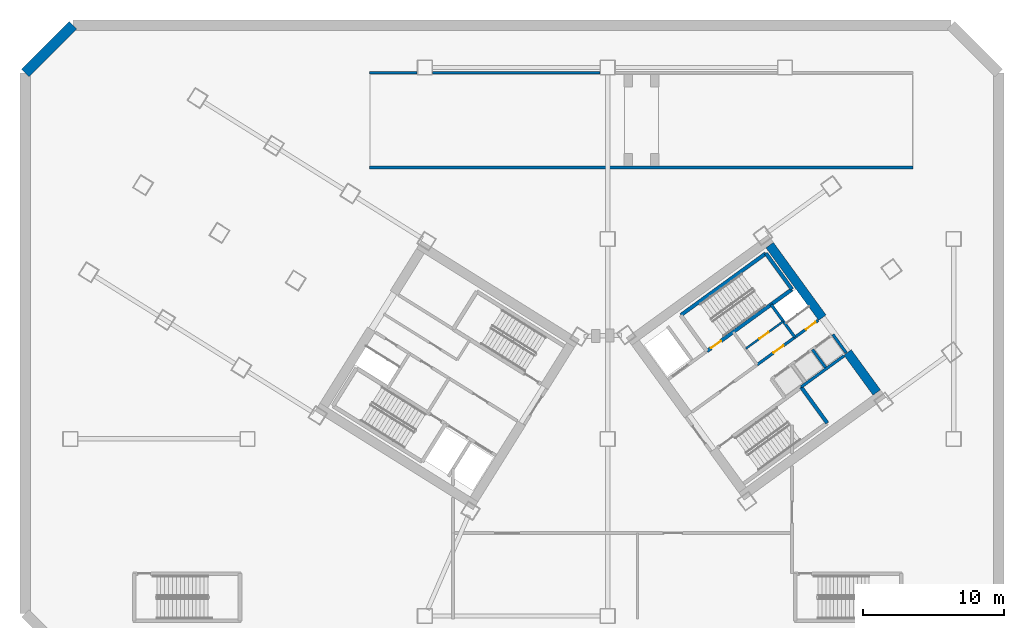
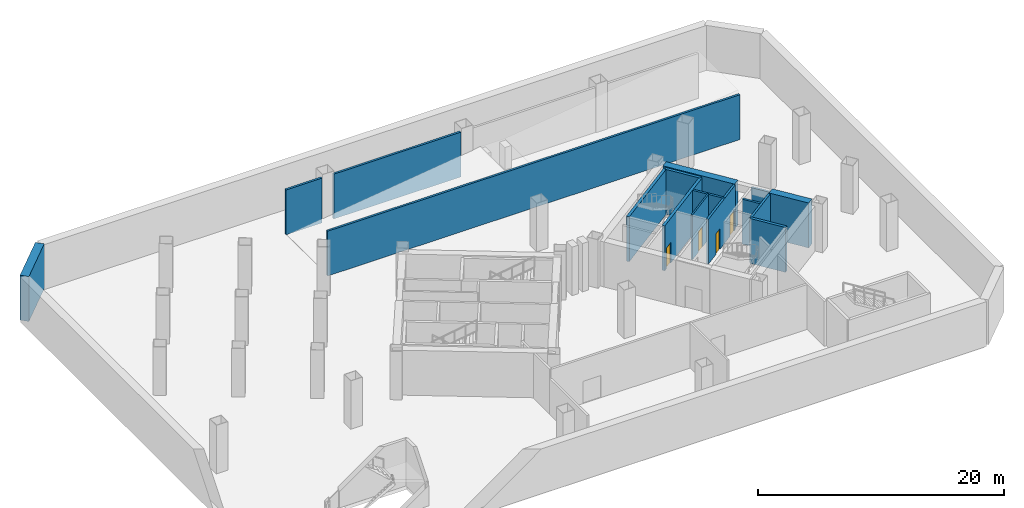
# One storey, part 4 of 9: 16 walls, 4 doors, 4 openings.
"""IFC4 building model written with IfcOpenShell, lengths in metres."""

from ifc_helpers import new_model, si_unit, direction, frame, frame_2d, origin, place, context, subcontext, project, spatial, rectangle, extrude, source, transform, mapped, material, layer, layer_set, type_object, element, fill, save


model = new_model("IFC4")

# Units and contexts
model_context = context("Model", 3, precision=1e-05, world=origin(), true_north=direction((0.0, 1.0)))
body_context = subcontext(model_context, "Body", "Model", "MODEL_VIEW")
ifc_project = project(units=[si_unit("LENGTHUNIT", "METRE"), si_unit("AREAUNIT", "SQUARE_METRE"), si_unit("VOLUMEUNIT", "CUBIC_METRE"), si_unit("PLANEANGLEUNIT", "RADIAN"), si_unit("MASSUNIT", "GRAM", prefix="KILO")], contexts=[model_context])

# Site, building, storey
site_placement = place(None, origin())
site = spatial("IfcSite", under=ifc_project, at=site_placement, CompositionType="ELEMENT")
building_placement = place(site_placement, origin())
building = spatial("IfcBuilding", under=site, at=building_placement, Name="Tlacorven Tower", CompositionType="ELEMENT")
storey_placement = place(building_placement, frame((0.0, 0.0, -4.800048828125)))
storey = spatial("IfcBuildingStorey", under=building, at=storey_placement, Name="B1", CompositionType="ELEMENT", Elevation=-4.800048828125)

# Walls
ifc_material_1 = material(Name="Concrete C60/75", Category="concrete")
ifc_layer_1 = layer(ifc_material_1, 0.64990234375)
ifc_layer_set_1 = layer_set([ifc_layer_1], Name="Concrete C60/75")
wall_type_1 = type_object("IfcWallType", Name="WL-COR-650", PredefinedType="SHEAR", material=ifc_layer_set_1)
wall_1_placement = place(storey_placement, frame((61.9287109375, 20.494384765625, 0.0), z_axis=(0.0, 0.0, 1.0), x_axis=(-0.58782982593, 0.808984607855, 0.0)))
element("IfcWall", 1, at=wall_1_placement, inside=storey, type_object=wall_type_1, Name="B1 E core end wall E2.1", PredefinedType="SHEAR", context=body_context, shape_type="SweptSolid", body=[
    extrude(rectangle(XDim=3.52490234375, YDim=0.64990234375, at=frame_2d((1.762451171875, 0.0))), origin(), (0.0, 0.0, 1.0), 4.449951171875),
])
wall_2_placement = place(storey_placement, frame((58.06396484375, 25.8134765625, 0.0), z_axis=(0.0, 0.0, 1.0), x_axis=(-0.58777996584, 0.809020835181, 0.0)))
element("IfcWall", 2, at=wall_2_placement, inside=storey, type_object=wall_type_1, Name="B1 E core end wall E2.2", PredefinedType="SHEAR", context=body_context, shape_type="SweptSolid", body=[
    extrude(rectangle(XDim=6.375, YDim=0.64990234375, at=frame_2d((3.1875, 0.0))), origin(), (0.0, 0.0, 1.0), 4.449951171875),
])

# Wall, opening, door
ifc_material_2 = material(Name="Moisture-resistant gypsum plumbing wall", Category="gypsum")
ifc_layer_2 = layer(ifc_material_2, 0.139892578125)
ifc_layer_set_2 = layer_set([ifc_layer_2], Name="Moisture-resistant gypsum plumbing wall")
wall_type_2 = type_object("IfcWallType", Name="WL-PLM-140", PredefinedType="PLUMBINGWALL", material=ifc_layer_set_2)
wall_3_placement = place(storey_placement, frame((52.617919921875, 23.612060546875, 0.0), z_axis=(0.0, 0.0, 1.0), x_axis=(0.809009587469, 0.587795446889, 0.0)))
wall_3 = element("IfcWall", 3, at=wall_3_placement, inside=storey, type_object=wall_type_2, Name="B1 partition 40", PredefinedType="PLUMBINGWALL", context=body_context, shape_type="SweptSolid", body=[
    extrude(rectangle(XDim=3.280029296875, YDim=0.139892578125, at=frame_2d((1.64013671875, 0.0))), origin(), (0.0, 0.0, 1.0), 4.43994140625),
])
opening_1_placement = place(wall_3_placement, frame((1.199951171875, 0.0, 0.0)))
opening_1 = element("IfcOpeningElement", 4, at=opening_1_placement, cuts=wall_3, Name="Opening D22", PredefinedType="OPENING", context=body_context, shape_type="SweptSolid", body=[
    extrude(rectangle(XDim=0.780029296875, YDim=2.050048828125, at=frame_2d((0.39013671875, 1.02490234375))), frame((0.0, 0.080078125, 0.0), z_axis=(0.0, -1.0, 0.0), x_axis=(1.0, 0.0, 0.0)), (0.0, 0.0, 1.0), 0.159912109375),
])
ifc_material_3 = material(Name="Powder-coated aluminium and timber door", Category="wood")
door_type_1 = type_object("IfcDoorType", Name="DR-INT-WET-0780", OperationType="NOTDEFINED", PredefinedType="DOOR", material=ifc_material_3)
shared_shape_1 = source(origin(), body_context, "Body", "SweptSolid", [
    extrude(rectangle(XDim=0.780029296875, YDim=2.050048828125, at=frame_2d((0.39013671875, 1.02490234375))), frame((0.0, 0.02490234375, 0.0), z_axis=(0.0, -1.0, 0.0), x_axis=(1.0, 0.0, 0.0)), (0.0, 0.0, 1.0), 0.050048828125),
])
door_1_placement = place(opening_1_placement, origin())
door_1 = element("IfcDoor", 5, at=door_1_placement, inside=storey, type_object=door_type_1, Name="B1 door 018", OperationType="SINGLE_SWING_RIGHT", OverallHeight=2.050048828125, OverallWidth=0.780029296875, PredefinedType="DOOR", context=body_context, shape_type="MappedRepresentation", body=[
    mapped(shared_shape_1, transform((0.0, 0.0, 0.0), scale=1.0)),
])
fill(opening_1, door_1)

# Walls
ifc_material_4 = material(Name="Concrete C50/60", Category="concrete")
ifc_layer_3 = layer(ifc_material_4, 0.75)
ifc_layer_set_3 = layer_set([ifc_layer_3], Name="Concrete C50/60")
wall_type_3 = type_object("IfcWallType", Name="WL-RET-750", PredefinedType="USERDEFINED", material=ifc_layer_set_3)
wall_4_placement = place(storey_placement, frame((4.800048828125, 46.60009765625, 0.0), z_axis=(0.0, 0.0, 1.0), x_axis=(-0.707106781187, -0.707106781187, 0.0)))
element("IfcWall", 6, at=wall_4_placement, inside=storey, type_object=wall_type_3, Name="B1 Diaphragm Retaining Wall 6", ObjectType="RETAINING WALL", PredefinedType="USERDEFINED", context=body_context, shape_type="SweptSolid", body=[
    extrude(rectangle(XDim=4.80859375, YDim=0.75, at=frame_2d((2.404296875, 0.0))), origin(), (0.0, 0.0, 1.0), 4.449951171875),
])
ifc_material_5 = material(Name="Concrete C40/50", Category="concrete")
ifc_layer_4 = layer(ifc_material_5, 0.199951171875)
ifc_layer_set_4 = layer_set([ifc_layer_4], Name="Concrete C40/50")
wall_type_4 = type_object("IfcWallType", Name="WL-SHF-200", PredefinedType="STANDARD", material=ifc_layer_set_4)
wall_5_placement = place(storey_placement, frame((56.552978515625, 20.884033203125, 0.0), z_axis=(0.0, 0.0, 1.0), x_axis=(0.809035789462, 0.587759382205, 0.0)))
element("IfcWall", 7, at=wall_5_placement, inside=storey, type_object=wall_type_4, Name="B1 Core E South Lift Shaft Wall", PredefinedType="STANDARD", context=body_context, shape_type="SweptSolid", body=[
    extrude(rectangle(XDim=3.767822265625, YDim=0.199951171875, at=frame_2d((1.8837890625, 0.0))), origin(), (0.0, 0.0, 1.0), 4.43994140625),
])
wall_6_placement = place(storey_placement, frame((58.290283203125, 22.269775390625, 0.0), z_axis=(0.0, 0.0, 1.0), x_axis=(-0.587840865826, 0.808976585857, 0.0)))
element("IfcWall", 8, at=wall_6_placement, inside=storey, type_object=wall_type_4, Name="B1 partition 33", PredefinedType="STANDARD", context=body_context, shape_type="SweptSolid", body=[
    extrude(rectangle(XDim=1.579833984375, YDim=0.199951171875, at=frame_2d((0.7900390625, 0.0))), origin(), (0.0, 0.0, 1.0), 4.43994140625),
])
wall_7_placement = place(storey_placement, frame((59.75830078125, 23.3115234375, 0.0), z_axis=(0.0, 0.0, 1.0), x_axis=(-0.587875962906, 0.808951081486, 0.0)))
element("IfcWall", 9, at=wall_7_placement, inside=storey, type_object=wall_type_4, Name="B1 partition 34", PredefinedType="STANDARD", context=body_context, shape_type="SweptSolid", body=[
    extrude(rectangle(XDim=1.6201171875, YDim=0.199951171875, at=frame_2d((0.81005859375, 0.0))), origin(), (0.0, 0.0, 1.0), 4.43994140625),
])
wall_8_placement = place(storey_placement, frame((56.110595703125, 24.4189453125, 0.0), z_axis=(0.0, 0.0, 1.0), x_axis=(-0.58777848983, 0.809021907548, 0.0)))
element("IfcWall", 10, at=wall_8_placement, inside=storey, type_object=wall_type_4, Name="B1 partition 36", PredefinedType="STANDARD", context=body_context, shape_type="SweptSolid", body=[
    extrude(rectangle(XDim=2.880126953125, YDim=0.199951171875, at=frame_2d((1.43994140625, 0.0))), origin(), (0.0, 0.0, 1.0), 4.43994140625),
])

# Wall, openings, doors
wall_9_placement = place(storey_placement, frame((53.424560546875, 22.467529296875, 0.0), z_axis=(0.0, 0.0, 1.0), x_axis=(0.80902705128, 0.587771409902, 0.0)))
wall_9 = element("IfcWall", 11, at=wall_9_placement, inside=storey, type_object=wall_type_4, Name="B1 Core E North Service Wall", PredefinedType="STANDARD", context=body_context, shape_type="SweptSolid", body=[
    extrude(rectangle(XDim=5.3681640625, YDim=0.199951171875, at=frame_2d((2.68408203125, 0.0))), origin(), (0.0, 0.0, 1.0), 4.43994140625),
])
opening_2_placement = place(wall_9_placement, frame((4.280029296875, 0.0, 0.0)))
opening_2 = element("IfcOpeningElement", 12, at=opening_2_placement, cuts=wall_9, Name="Opening D19", PredefinedType="OPENING", context=body_context, shape_type="SweptSolid", body=[
    extrude(rectangle(XDim=0.860107421875, YDim=2.050048828125, at=frame_2d((0.43017578125, 1.02490234375))), frame((0.0, 0.10986328125, 0.0), z_axis=(0.0, -1.0, 0.0), x_axis=(1.0, 0.0, 0.0)), (0.0, 0.0, 1.0), 0.219970703125),
])
opening_3_placement = place(wall_9_placement, frame((1.449951171875, 0.0, 0.0)))
opening_3 = element("IfcOpeningElement", 13, at=opening_3_placement, cuts=wall_9, Name="Opening D19", PredefinedType="OPENING", context=body_context, shape_type="SweptSolid", body=[
    extrude(rectangle(XDim=0.860107421875, YDim=2.050048828125, at=frame_2d((0.43017578125, 1.02490234375))), frame((0.0, 0.10986328125, 0.0), z_axis=(0.0, -1.0, 0.0), x_axis=(1.0, 0.0, 0.0)), (0.0, 0.0, 1.0), 0.219970703125),
])
ifc_material_6 = material(Name="Fire-rated steel door assembly", Category="steel")
door_type_2 = type_object("IfcDoorType", Name="DR-RSR-FD60-0860", OperationType="NOTDEFINED", PredefinedType="DOOR", material=ifc_material_6)
shared_shape_2 = source(origin(), body_context, "Body", "SweptSolid", [
    extrude(rectangle(XDim=0.860107421875, YDim=2.050048828125, at=frame_2d((0.43017578125, 1.02490234375))), frame((0.0, 0.02490234375, 0.0), z_axis=(0.0, -1.0, 0.0), x_axis=(1.0, 0.0, 0.0)), (0.0, 0.0, 1.0), 0.050048828125),
])
door_2_placement = place(opening_2_placement, frame((0.860107421875, 0.0, 0.0), z_axis=(0.0, 0.0, 1.0), x_axis=(-1.0, 0.0, 0.0)))
door_2 = element("IfcDoor", 14, at=door_2_placement, inside=storey, type_object=door_type_2, Name="B1 Electrical Riser Access Door E", OperationType="SINGLE_SWING_RIGHT", OverallHeight=2.050048828125, OverallWidth=0.860107421875, PredefinedType="DOOR", context=body_context, shape_type="MappedRepresentation", body=[
    mapped(shared_shape_2, transform((0.0, 0.0, 0.0), scale=1.0)),
])
fill(opening_2, door_2)
door_3_placement = place(opening_3_placement, frame((0.860107421875, 0.0, 0.0), z_axis=(0.0, 0.0, 1.0), x_axis=(-1.0, 0.0, 0.0)))
door_3 = element("IfcDoor", 15, at=door_3_placement, inside=storey, type_object=door_type_2, Name="B1 Cleaner Store Access Door E", OperationType="SINGLE_SWING_LEFT", OverallHeight=2.050048828125, OverallWidth=0.860107421875, PredefinedType="DOOR", context=body_context, shape_type="MappedRepresentation", body=[
    mapped(shared_shape_2, transform((0.0, 0.0, 0.0), scale=1.0)),
])
fill(opening_3, door_3)

# Walls
wall_10_placement = place(storey_placement, frame((25.8798828125, 36.47998046875, 0.0), z_axis=(0.0, 0.0, 1.0), x_axis=(1.0, 0.0, 0.0)))
element("IfcWall", 16, at=wall_10_placement, inside=storey, type_object=wall_type_4, Name="B1 Vehicle Ramp South Flank Wall", PredefinedType="STANDARD", context=body_context, shape_type="SweptSolid", body=[
    extrude(rectangle(XDim=38.64013671875, YDim=0.199951171875, at=frame_2d((19.320068359375, 0.0))), origin(), (0.0, 0.0, 1.0), 4.43994140625),
])
wall_11_placement = place(storey_placement, frame((25.8798828125, 43.219970703125, 0.0), z_axis=(0.0, 0.0, 1.0), x_axis=(1.0, 0.0, 0.0)))
element("IfcWall", 17, at=wall_11_placement, inside=storey, type_object=wall_type_4, Name="B1 Vehicle Ramp North Flank Wall", PredefinedType="STANDARD", context=body_context, shape_type="SweptSolid", body=[
    extrude(rectangle(XDim=3.3681640625, YDim=0.199951171875, at=frame_2d((1.68408203125, 0.0))), origin(), (0.0, 0.0, 1.0), 4.43994140625),
])
wall_12_placement = place(storey_placement, frame((30.35205078125, 43.219970703125, 0.0), z_axis=(0.0, 0.0, 1.0), x_axis=(1.0, 0.0, 0.0)))
element("IfcWall", 18, at=wall_12_placement, inside=storey, type_object=wall_type_4, Name="B1 Vehicle Ramp North Flank Wall", PredefinedType="STANDARD", context=body_context, shape_type="SweptSolid", body=[
    extrude(rectangle(XDim=11.89599609375, YDim=0.199951171875, at=frame_2d((5.947998046875, 0.0))), origin(), (0.0, 0.0, 1.0), 4.43994140625),
])
ifc_layer_5 = layer(ifc_material_4, 0.260009765625)
ifc_layer_set_5 = layer_set([ifc_layer_5], Name="Concrete C50/60")
wall_type_5 = type_object("IfcWallType", Name="WL-STW-260", PredefinedType="SHEAR", material=ifc_layer_set_5)
wall_13_placement = place(storey_placement, frame((48.005615234375, 25.996337890625, 0.0), z_axis=(0.0, 0.0, 1.0), x_axis=(0.80901903764, 0.587782439969, 0.0)))
element("IfcWall", 19, at=wall_13_placement, inside=storey, type_object=wall_type_5, Name="B1 Stair E1 Far Shear Wall", PredefinedType="SHEAR", context=body_context, shape_type="SweptSolid", body=[
    extrude(rectangle(XDim=7.4599609375, YDim=0.260009765625, at=frame_2d((3.72998046875, 0.0))), origin(), (0.0, 0.0, 1.0), 4.449951171875),
])

# Wall, opening, door
wall_14_placement = place(storey_placement, frame((49.863037109375, 23.439697265625, 0.0), z_axis=(0.0, 0.0, 1.0), x_axis=(0.809003474932, 0.587803859759, 0.0)))
wall_14 = element("IfcWall", 20, at=wall_14_placement, inside=storey, type_object=wall_type_5, Name="B1 Stair E1 Lobby Shear Wall", PredefinedType="SHEAR", context=body_context, shape_type="SweptSolid", body=[
    extrude(rectangle(XDim=7.4599609375, YDim=0.260009765625, at=frame_2d((3.72998046875, 0.0))), origin(), (0.0, 0.0, 1.0), 4.449951171875),
])
opening_4_placement = place(wall_14_placement, frame((0.360107421875, 0.0, 0.0)))
opening_4 = element("IfcOpeningElement", 21, at=opening_4_placement, cuts=wall_14, Name="Opening D19", PredefinedType="OPENING", context=body_context, shape_type="SweptSolid", body=[
    extrude(rectangle(XDim=0.860107421875, YDim=2.050048828125, at=frame_2d((0.43017578125, 1.02490234375))), frame((0.0, 0.14013671875, 0.0), z_axis=(0.0, -1.0, 0.0), x_axis=(1.0, 0.0, 0.0)), (0.0, 0.0, 1.0), 0.280029296875),
])
door_4_placement = place(opening_4_placement, frame((0.860107421875, 0.0, 0.0), z_axis=(0.0, 0.0, 1.0), x_axis=(-1.0, 0.0, 0.0)))
door_4 = element("IfcDoor", 22, at=door_4_placement, inside=storey, type_object=door_type_2, Name="B1 Exit Stair E1 Fire Door", OperationType="SINGLE_SWING_LEFT", OverallHeight=2.050048828125, OverallWidth=0.860107421875, PredefinedType="DOOR", context=body_context, shape_type="MappedRepresentation", body=[
    mapped(shared_shape_2, transform((0.0, 0.0, 0.0), scale=1.0)),
])
fill(opening_4, door_4)

# Walls
wall_15_placement = place(storey_placement, frame((55.906494140625, 27.83056640625, 0.0), z_axis=(0.0, 0.0, 1.0), x_axis=(-0.587804123638, 0.809003283204, 0.0)))
element("IfcWall", 23, at=wall_15_placement, inside=storey, type_object=wall_type_5, Name="B1 Stair E1 East Shear Wall", PredefinedType="SHEAR", context=body_context, shape_type="SweptSolid", body=[
    extrude(rectangle(XDim=3.159912109375, YDim=0.260009765625, at=frame_2d((1.580078125, 0.0))), origin(), (0.0, 0.0, 1.0), 4.449951171875),
])
wall_16_placement = place(storey_placement, frame((58.410400390625, 18.327392578125, 0.0), z_axis=(0.0, 0.0, 1.0), x_axis=(-0.58776738483, 0.809029975545, 0.0)))
element("IfcWall", 24, at=wall_16_placement, inside=storey, type_object=wall_type_5, Name="B1 Stair E2 East Shear Wall", PredefinedType="SHEAR", context=body_context, shape_type="SweptSolid", body=[
    extrude(rectangle(XDim=3.16015625, YDim=0.260009765625, at=frame_2d((1.580078125, 0.0))), origin(), (0.0, 0.0, 1.0), 4.449951171875),
])

save(model, "model.ifc")
